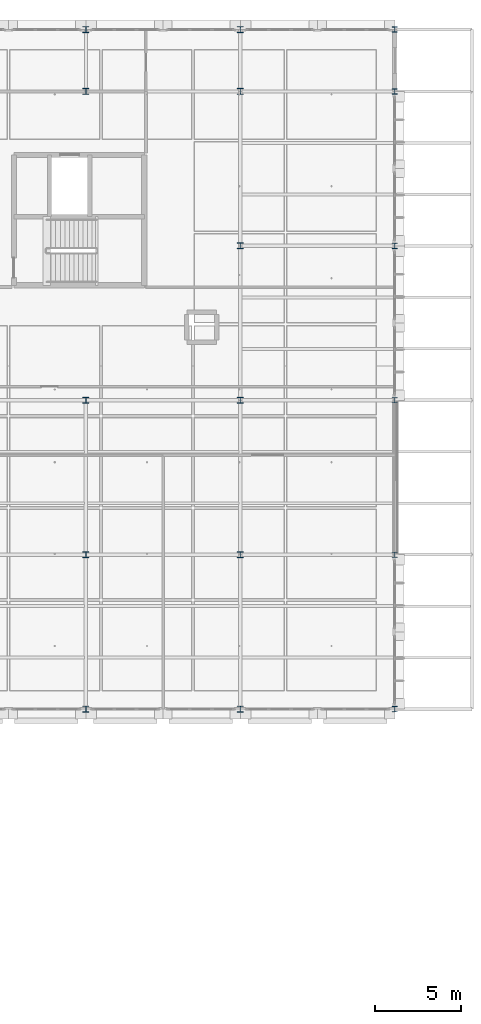
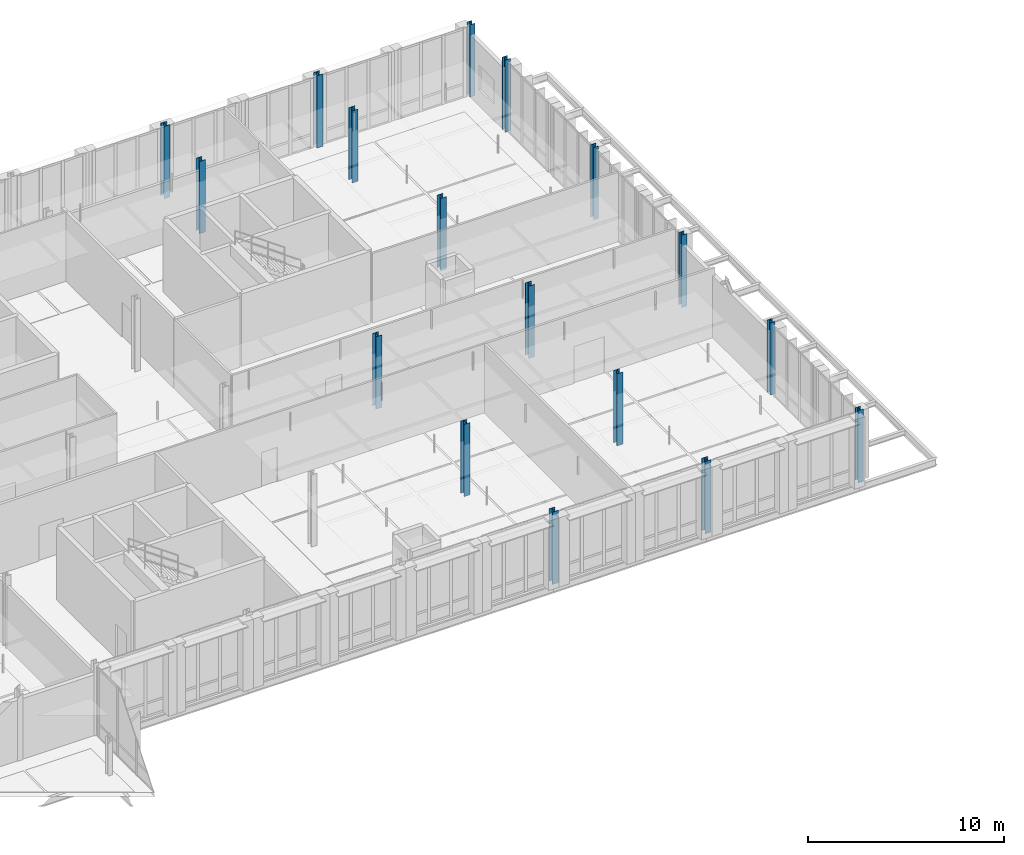
# One storey, part 18 of 140: 17 columns.
"""IFC4 building model written with IfcOpenShell, lengths in metres."""

from ifc_helpers import new_model, si_unit, direction, frame, origin, origin_2d, place, context, subcontext, project, spatial, i_section, extrude, material, material_profile, profile_set, type_object, element, save


model = new_model("IFC4")

# Units and contexts
model_context = context("Model", 3, precision=1e-05, world=origin(), true_north=direction((0.0, 1.0)))
body_context = subcontext(model_context, "Body", "Model", "MODEL_VIEW")
ifc_project = project(units=[si_unit("LENGTHUNIT", "METRE"), si_unit("AREAUNIT", "SQUARE_METRE"), si_unit("VOLUMEUNIT", "CUBIC_METRE"), si_unit("PLANEANGLEUNIT", "RADIAN"), si_unit("MASSUNIT", "GRAM", prefix="KILO"), si_unit("THERMODYNAMICTEMPERATUREUNIT", "KELVIN"), si_unit("POWERUNIT", "WATT")], contexts=[model_context])

# Site, building, storey
site_placement = place(None, origin())
site = spatial("IfcSite", under=ifc_project, at=site_placement, CompositionType="ELEMENT")
building_placement = place(site_placement, origin())
building = spatial("IfcBuilding", under=site, at=building_placement, Name="Tallowbark Science Centre", CompositionType="ELEMENT")
storey_placement = place(building_placement, frame((0.0, 0.0, 9.89990234375)))
storey = spatial("IfcBuildingStorey", under=building, at=storey_placement, Name="L02", CompositionType="ELEMENT", Elevation=9.89990234375)

# Columns
ifc_material = material(Name="Structural Steel Grade 300PLUS (300 MPa)", Category="steel")
ifc_material_profile_1 = material_profile(ifc_material, i_section(OverallWidth=0.307373046875, OverallDepth=0.314697265625, WebThickness=0.011962890625, FlangeThickness=0.018798828125, FilletRadius=0.0166015625, at=origin_2d()), Name="310UC118")
ifc_profile_set_1 = profile_set([ifc_material_profile_1], Name="Structural Steel Grade 300PLUS (300 MPa)")
column_type_1 = type_object("IfcColumnType", Name="COL-UC310C", PredefinedType="COLUMN", material=ifc_profile_set_1)
for number, where, z_axis, x_axis, name in (
    (1, (157.5, 72.0, 0.0), (0.0, 0.0, 1.0), (1.0, 0.0, 0.0), "Column OBS-5_0 L02"),
    (2, (157.5, 81.0, 0.0), (0.0, 0.0, 1.0), (1.0, 0.0, 0.0), "Column OBS-5_1 L02"),
    (3, (157.5, 90.0, 0.0), (0.0, 0.0, 1.0), (1.0, 0.0, 0.0), "Column OBS-5_2 L02"),
    (4, (157.5, 99.0, 0.0), (0.0, 0.0, 1.0), (1.0, 0.0, 0.0), "Column OBS-5_3 L02"),
    (5, (157.5, 108.0, 0.0), (0.0, 0.0, 1.0), (1.0, 0.0, 0.0), "Column OBS-5_4 L02"),
    (6, (157.5, 111.60009765625, 0.0), (0.0, 0.0, 1.0), (1.0, 0.0, 0.0), "Column OBS-5_5 L02"),
):
    element("IfcColumn", number, at=place(storey_placement, frame(where, z_axis=z_axis, x_axis=x_axis)), inside=storey, type_object=column_type_1, Name=name, PredefinedType="COLUMN", context=body_context, shape_type="SweptSolid", body=[
        extrude(i_section(OverallWidth=0.307373046875, OverallDepth=0.314697265625, WebThickness=0.011962890625, FlangeThickness=0.018798828125, FilletRadius=0.0166015625, at=origin_2d()), origin(), (0.0, 0.0, 1.0), 4.5),
    ])
ifc_material_profile_2 = material_profile(ifc_material, i_section(OverallWidth=0.35009765625, OverallDepth=0.35888671875, WebThickness=0.01611328125, FlangeThickness=0.02392578125, FilletRadius=0.013916015625, at=origin_2d()), Name="350WC197")
ifc_profile_set_2 = profile_set([ifc_material_profile_2], Name="Structural Steel Grade 300PLUS (300 MPa)")
column_type_2 = type_object("IfcColumnType", Name="COL-WC350", PredefinedType="COLUMN", material=ifc_profile_set_2)
for number, where, z_axis, x_axis, name in (
    (7, (139.5, 72.0, 0.0), (0.0, 0.0, 1.0), (1.0, 0.0, 0.0), "Column OBS-3_0 L02"),
    (8, (139.5, 81.0, 0.0), (0.0, 0.0, 1.0), (1.0, 0.0, 0.0), "Column OBS-3_1 L02"),
    (9, (139.5, 90.0, 0.0), (0.0, 0.0, 1.0), (1.0, 0.0, 0.0), "Column OBS-3_2 L02"),
    (10, (139.5, 108.0, 0.0), (0.0, 0.0, 1.0), (1.0, 0.0, 0.0), "Column OBS-3_4 L02"),
    (11, (139.5, 111.60009765625, 0.0), (0.0, 0.0, 1.0), (1.0, 0.0, 0.0), "Column OBS-3_5 L02"),
    (12, (148.5, 72.0, 0.0), (0.0, 0.0, 1.0), (1.0, 0.0, 0.0), "Column OBS-4_0 L02"),
    (13, (148.5, 81.0, 0.0), (0.0, 0.0, 1.0), (1.0, 0.0, 0.0), "Column OBS-4_1 L02"),
    (14, (148.5, 90.0, 0.0), (0.0, 0.0, 1.0), (1.0, 0.0, 0.0), "Column OBS-4_2 L02"),
    (15, (148.5, 99.0, 0.0), (0.0, 0.0, 1.0), (1.0, 0.0, 0.0), "Column OBS-4_3 L02"),
    (16, (148.5, 108.0, 0.0), (0.0, 0.0, 1.0), (1.0, 0.0, 0.0), "Column OBS-4_4 L02"),
    (17, (148.5, 111.60009765625, 0.0), (0.0, 0.0, 1.0), (1.0, 0.0, 0.0), "Column OBS-4_5 L02"),
):
    element("IfcColumn", number, at=place(storey_placement, frame(where, z_axis=z_axis, x_axis=x_axis)), inside=storey, type_object=column_type_2, Name=name, PredefinedType="COLUMN", context=body_context, shape_type="SweptSolid", body=[
        extrude(i_section(OverallWidth=0.35009765625, OverallDepth=0.35888671875, WebThickness=0.01611328125, FlangeThickness=0.02392578125, FilletRadius=0.013916015625, at=origin_2d()), origin(), (0.0, 0.0, 1.0), 4.5),
    ])

save(model, "model.ifc")
